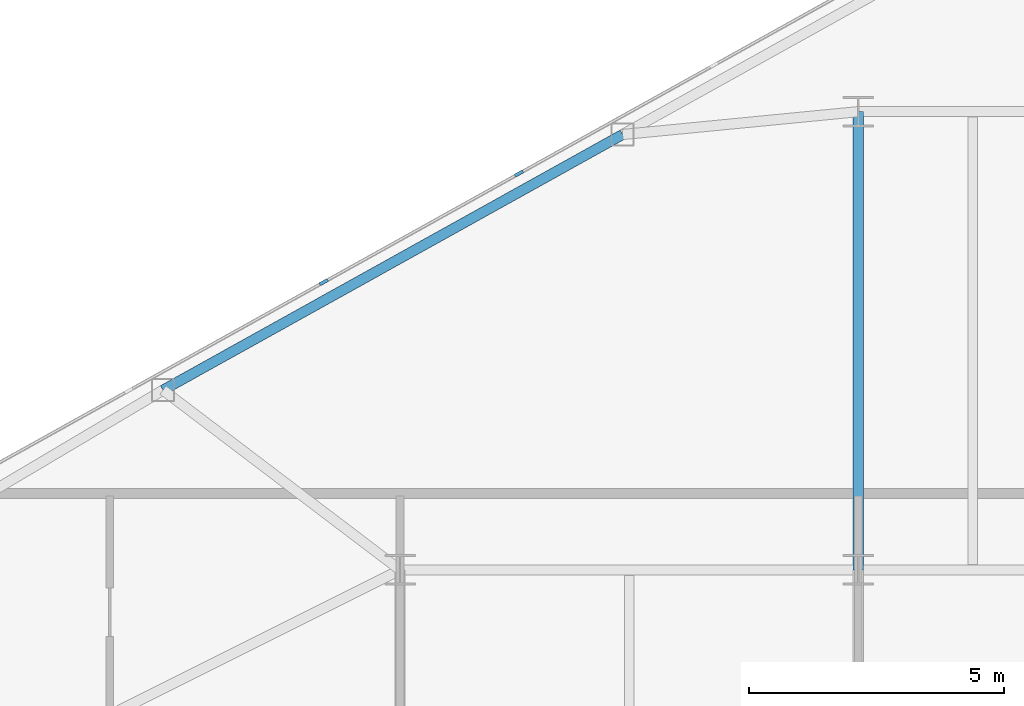
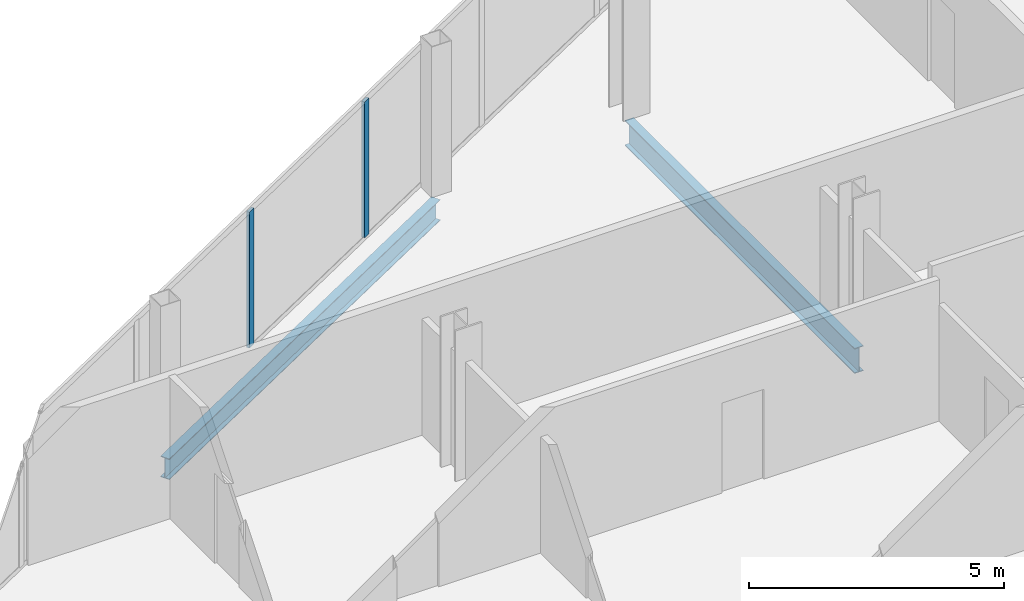
# One storey, part 8 of 26: 2 beams, 2 members, 1 element without a shape of its own.
"""IFC4 building model written with IfcOpenShell, lengths in metres."""

import ifcopenshell
import ifcopenshell.guid

model = None  # the IFC model being written
_history = None  # IfcOwnerHistory: only IFC2X3 demands one
_inside = {}  # id of a spatial element -> (the spatial element, [elements in it])
_under = {}  # id of a project, library or spatial element -> (it, [spatial elements below it])
_declared = {}  # id of a project -> (the project, [libraries it declares])
_typed = {}  # id of a type object -> (the type object, [elements of that type])
_made_of = {}  # id of a material, layer set ... -> (it, [elements and type objects made of it])


def new_model(schema):
    """Start an empty IFC model of exactly this schema.

    Asked for "IFC4X3", IfcOpenShell would pick the latest addendum, in which some entities
    have other attributes; the version numbers below select the first issue.
    IFC2X3 requires an IfcOwnerHistory on every rooted entity: one is made here for all.
    """
    global model, _history
    if schema == "IFC4X3":
        model = ifcopenshell.file(schema_version=(4, 3, 0, 0))
    else:
        model = ifcopenshell.file(schema=schema)
    _inside.clear()
    _under.clear()
    _declared.clear()
    _typed.clear()
    _made_of.clear()
    _history = None
    if model.schema == "IFC2X3":
        org = make("IfcOrganization", Name="unknown")
        user = make(
            "IfcPersonAndOrganization",
            ThePerson=make("IfcPerson", FamilyName="unknown"),
            TheOrganization=org,
        )
        app = make(
            "IfcApplication",
            ApplicationDeveloper=org,
            Version="unknown",
            ApplicationFullName="unknown",
            ApplicationIdentifier="unknown",
        )
        _history = make(
            "IfcOwnerHistory",
            OwningUser=user,
            OwningApplication=app,
            ChangeAction="ADDED",
            CreationDate=0,
        )
    return model


def make(cls, **values):
    """One entity of the class cls with the attributes given. An attribute that is None is left unset."""
    return model.create_entity(
        cls, **{name: value for name, value in values.items() if value is not None}
    )


def rooted(cls, **values):
    """An entity with a GlobalId (a new one), such as an element, a storey or a relation."""
    return make(cls, GlobalId=ifcopenshell.guid.new(), OwnerHistory=_history, **values)


def si_unit(unit_type, name, prefix=None):
    """IfcSIUnit, for example si_unit("LENGTHUNIT", "METRE", prefix="MILLI")."""
    return make("IfcSIUnit", UnitType=unit_type, Prefix=prefix, Name=name)


def assignment(units):
    """IfcUnitAssignment: the units of a project."""
    return None if units is None else make("IfcUnitAssignment", Units=units)


def point(xyz):
    """IfcCartesianPoint."""
    return None if xyz is None else make("IfcCartesianPoint", Coordinates=xyz)


def direction(xyz):
    """IfcDirection."""
    return None if xyz is None else make("IfcDirection", DirectionRatios=xyz)


def frame(location, z_axis=None, x_axis=None):
    """IfcAxis2Placement3D, a coordinate frame: its origin and axes. An axis left out is left unset."""
    return make(
        "IfcAxis2Placement3D",
        Location=point(location),
        Axis=direction(z_axis),
        RefDirection=direction(x_axis),
    )


def frame_2d(location, x_axis=None):
    """IfcAxis2Placement2D, a coordinate frame in the plane: its origin and x axis."""
    return make(
        "IfcAxis2Placement2D", Location=point(location), RefDirection=direction(x_axis)
    )


def origin():
    """The frame at (0, 0, 0) with its axes left unset."""
    return frame((0.0, 0.0, 0.0))


def origin_2d():
    """The frame at (0, 0) in the plane with its x axis left unset."""
    return frame_2d((0.0, 0.0))


def place(relative_to, where):
    """IfcLocalPlacement: puts the frame where relative to a parent placement (None: the world)."""
    return make(
        "IfcLocalPlacement", PlacementRelTo=relative_to, RelativePlacement=where
    )


def context(
    kind, dimensions, precision=None, world=None, true_north=None, identifier=None
):
    """IfcGeometricRepresentationContext, for example the 3D "Model" context."""
    return make(
        "IfcGeometricRepresentationContext",
        ContextIdentifier=identifier,
        ContextType=kind,
        CoordinateSpaceDimension=dimensions,
        Precision=precision,
        WorldCoordinateSystem=world,
        TrueNorth=true_north,
    )


def subcontext(parent, identifier, kind, view, scale=None):
    """IfcGeometricRepresentationSubContext, for example "Body" below "Model"."""
    return make(
        "IfcGeometricRepresentationSubContext",
        ContextIdentifier=identifier,
        ContextType=kind,
        ParentContext=parent,
        TargetScale=scale,
        TargetView=view,
    )


def project(units=None, contexts=None):
    """IfcProject with its units and contexts."""
    return rooted(
        "IfcProject",
        Name="project",
        RepresentationContexts=contexts,
        UnitsInContext=assignment(units),
    )


def spatial(cls, under=None, at=None, **own):
    """A site, building, storey or space (cls), placed at a placement, below another one or the project."""
    s = rooted(cls, ObjectPlacement=at, **own)
    if under is not None:
        _under.setdefault(under.id(), (under, []))[1].append(s)
    return s


def profile(cls, at=None, kind="AREA", **sizes):
    """A parametric profile (cls). Its sizes go by their IFC names, for example OverallWidth=200.0."""
    return make(cls, ProfileType=kind, Position=at, **sizes)


def rectangle(**sizes):
    """IfcRectangleProfileDef."""
    return profile("IfcRectangleProfileDef", **sizes)


def i_section(**sizes):
    """IfcIShapeProfileDef."""
    return profile("IfcIShapeProfileDef", **sizes)


def extrude(swept, where, along, depth):
    """IfcExtrudedAreaSolid: the profile swept, set in the frame where, extruded along a direction by depth."""
    return make(
        "IfcExtrudedAreaSolid",
        SweptArea=swept,
        Position=where,
        ExtrudedDirection=direction(along),
        Depth=depth,
    )


def shape(context_of_items, identifier, shape_type, items):
    """IfcShapeRepresentation: the items that make up one representation, for example the "Body"."""
    return make(
        "IfcShapeRepresentation",
        ContextOfItems=context_of_items,
        RepresentationIdentifier=identifier,
        RepresentationType=shape_type,
        Items=items,
    )


def source(mapping_origin, context_of_items, identifier, shape_type, items):
    """IfcRepresentationMap: a shape defined once, which mapped items show again and again."""
    return make(
        "IfcRepresentationMap",
        MappingOrigin=mapping_origin,
        MappedRepresentation=shape(context_of_items, identifier, shape_type, items),
    )


def transform(
    local_origin,
    x_axis=None,
    y_axis=None,
    z_axis=None,
    scale=None,
    scale2=None,
    scale3=None,
    uniform=True,
):
    """IfcCartesianTransformationOperator3D, or its non-uniform kind. x_axis, y_axis, z_axis: its Axis1, 2, 3."""
    if uniform:
        return make(
            "IfcCartesianTransformationOperator3D",
            Axis1=direction(x_axis),
            Axis2=direction(y_axis),
            LocalOrigin=point(local_origin),
            Scale=scale,
            Axis3=direction(z_axis),
        )
    return make(
        "IfcCartesianTransformationOperator3DnonUniform",
        Axis1=direction(x_axis),
        Axis2=direction(y_axis),
        LocalOrigin=point(local_origin),
        Scale=scale,
        Axis3=direction(z_axis),
        Scale2=scale2,
        Scale3=scale3,
    )


def mapped(mapping_source, mapping_target):
    """IfcMappedItem: shows the shape of a source again, moved by a transform."""
    return make(
        "IfcMappedItem", MappingSource=mapping_source, MappingTarget=mapping_target
    )


def material(Name=None, Category=None):
    """IfcMaterial."""
    return make("IfcMaterial", Name=Name, Category=Category)


def layer(
    of_material, thickness, ventilated=None, Name=None, Category=None, Priority=None
):
    """IfcMaterialLayer: one layer of a wall or slab, of a material (None: an air gap)."""
    return make(
        "IfcMaterialLayer",
        Material=of_material,
        LayerThickness=thickness,
        IsVentilated=ventilated,
        Name=Name,
        Category=Category,
        Priority=Priority,
    )


def layer_set(layers, Name=None):
    """IfcMaterialLayerSet."""
    return make("IfcMaterialLayerSet", MaterialLayers=layers, LayerSetName=Name)


def material_profile(
    of_material, cross_section, Name=None, Category=None, Priority=None
):
    """IfcMaterialProfile: a cross section and its material."""
    return make(
        "IfcMaterialProfile",
        Name=Name,
        Material=of_material,
        Profile=cross_section,
        Priority=Priority,
        Category=Category,
    )


def profile_set(profiles, Name=None, composite=None):
    """IfcMaterialProfileSet."""
    return make(
        "IfcMaterialProfileSet",
        Name=Name,
        MaterialProfiles=profiles,
        CompositeProfile=composite,
    )


def made_of(thing, what):
    """Note that an element or type object is made of a material, layer set ...; save() writes the relation."""
    if what is not None:
        _made_of.setdefault(what.id(), (what, []))[1].append(thing)
    return thing


def type_object(cls, material=None, **own):
    """A type object (cls), such as IfcWallType, which elements share."""
    return made_of(rooted(cls, **own), material)


def type_shapes(of_type, sources):
    """Give a type object the sources (RepresentationMaps) that its elements show as mapped items."""
    of_type.RepresentationMaps = sources


def element(
    cls,
    number,
    at=None,
    inside=None,
    cuts=None,
    type_object=None,
    material=None,
    context=None,
    identifier="Body",
    shape_type=None,
    held_by="IfcProductDefinitionShape",
    body=None,
    shapes=None,
    **own,
):
    """One element of the class cls, such as IfcWall. Its Tag is "e" and its number.

    at: its placement. inside: the storey or other place that contains it. cuts: it is an
    opening in that element (IfcRelVoidsElement). A single representation is given by context,
    identifier, shape_type and body (its items); several are given by shapes. held_by: the class
    of the entity that holds the representations. save() writes the other relations.
    """
    e = rooted(cls, Tag="e%d" % number, ObjectPlacement=at, **own)
    if body is not None:
        shapes = [shape(context, identifier, shape_type, body)]
    if shapes is not None:
        e.Representation = make(held_by, Representations=shapes)
    if inside is not None:
        _inside.setdefault(inside.id(), (inside, []))[1].append(e)
    if cuts is not None:
        rooted(
            "IfcRelVoidsElement", RelatingBuildingElement=cuts, RelatedOpeningElement=e
        )
    if type_object is not None:
        _typed.setdefault(type_object.id(), (type_object, []))[1].append(e)
    return made_of(e, material)


def aggregate(whole, parts):
    """IfcRelAggregates: a whole, such as a stair, and the parts it consists of."""
    return rooted("IfcRelAggregates", RelatingObject=whole, RelatedObjects=parts)


def save(model, path):
    """Write the relations noted so far, then the file.

    IfcRelAggregates (storeys below a building ...), IfcRelContainedInSpatialStructure (elements
    in a storey), IfcRelDefinesByType, IfcRelAssociatesMaterial and IfcRelDeclares: one each for
    every whole, place, type object, material and project.
    """
    for whole, parts in _under.values():
        aggregate(whole, parts)
    for where, things in _inside.values():
        rooted(
            "IfcRelContainedInSpatialStructure",
            RelatedElements=things,
            RelatingStructure=where,
        )
    for kind, things in _typed.values():
        rooted("IfcRelDefinesByType", RelatedObjects=things, RelatingType=kind)
    for what, things in _made_of.values():
        rooted("IfcRelAssociatesMaterial", RelatedObjects=things, RelatingMaterial=what)
    for by, libraries in _declared.values():
        rooted("IfcRelDeclares", RelatingContext=by, RelatedDefinitions=libraries)
    model.write(path)


model = new_model("IFC4")

# Units and contexts
model_context = context("Model", 3, precision=1e-05, world=origin(), true_north=direction((0.0, 1.0)))
body_context = subcontext(model_context, "Body", "Model", "MODEL_VIEW")
ifc_project = project(units=[si_unit("LENGTHUNIT", "METRE"), si_unit("AREAUNIT", "SQUARE_METRE"), si_unit("VOLUMEUNIT", "CUBIC_METRE"), si_unit("PLANEANGLEUNIT", "RADIAN"), si_unit("MASSUNIT", "GRAM", prefix="KILO")], contexts=[model_context])

# Site, building, storey
site_placement = place(None, origin())
site = spatial("IfcSite", under=ifc_project, at=site_placement, CompositionType="ELEMENT")
building_placement = place(site_placement, origin())
building = spatial("IfcBuilding", under=site, at=building_placement, Name="Seokmaru Belvedere", CompositionType="ELEMENT")
storey_placement = place(building_placement, frame((0.0, 0.0, 170.699951171875)))
storey = spatial("IfcBuildingStorey", under=building, at=storey_placement, Name="L45", CompositionType="ELEMENT", Elevation=170.699951171875)

# Beams
ifc_material_1 = material(Name="Steel SM355 (355 MPa)", Category="steel")
ifc_material_profile_1 = material_profile(ifc_material_1, i_section(OverallWidth=0.199951171875, OverallDepth=0.60009765625, WebThickness=0.010986328125, FlangeThickness=0.01708984375, at=origin_2d()), Name="H-600x200x11x17")
ifc_profile_set_1 = profile_set([ifc_material_profile_1], Name="Steel SM355 (355 MPa)")
beam_type_1 = type_object("IfcBeamType", Name="Primary Floor Girder H-600", PredefinedType="BEAM", material=ifc_profile_set_1)
shared_shape_1 = source(origin(), body_context, "Body", "SweptSolid", [
    extrude(i_section(OverallWidth=0.199951171875, OverallDepth=0.60009765625, WebThickness=0.010986328125, FlangeThickness=0.01708984375, at=origin_2d()), origin(), (0.0, 0.0, 1.0), 9.0),
])
type_shapes(beam_type_1, [shared_shape_1])
beam_1_placement = place(storey_placement, frame((-45.5, 4.5, -0.52001953125), z_axis=(0.0, 1.0, 0.0), x_axis=(-1.0, 0.0, 0.0)))
element("IfcBeam", 1, at=beam_1_placement, inside=storey, type_object=beam_type_1, Name="L45 W Interior Grid Girder 3", PredefinedType="BEAM", context=body_context, shape_type="MappedRepresentation", body=[
    mapped(shared_shape_1, transform((0.0, 0.0, 0.0), scale=1.0)),
])
ifc_material_profile_2 = material_profile(ifc_material_1, i_section(OverallWidth=0.199951171875, OverallDepth=0.5, WebThickness=0.010009765625, FlangeThickness=0.01611328125, at=origin_2d()), Name="H-500x200x10x16")
ifc_profile_set_2 = profile_set([ifc_material_profile_2], Name="Steel SM355 (355 MPa)")
beam_type_2 = type_object("IfcBeamType", Name="Perimeter Spandrel Beam H-500", PredefinedType="SPANDREL", material=ifc_profile_set_2)
shared_shape_2 = source(origin(), body_context, "Body", "SweptSolid", [
    extrude(i_section(OverallWidth=0.199951171875, OverallDepth=0.5, WebThickness=0.010009765625, FlangeThickness=0.01611328125, at=origin_2d()), origin(), (0.0, 0.0, 1.0), 10.327392578125),
])
type_shapes(beam_type_2, [shared_shape_2])
beam_2_placement = place(storey_placement, frame((-50.129150390625, 13.051025390625, -0.469970703125), z_axis=(-0.873934162361, -0.48604431882, 0.0), x_axis=(0.48604431882, -0.873934162361, 0.0)))
element("IfcBeam", 2, at=beam_2_placement, inside=storey, type_object=beam_type_2, Name="L45 W Faceted Flank Spandrel N-3", PredefinedType="SPANDREL", context=body_context, shape_type="MappedRepresentation", body=[
    mapped(shared_shape_2, transform((0.0, 0.0, 0.0), scale=1.0)),
])

# Curtain wall, members
ifc_material_2 = material(Name="Bronze Triple Insulating Glass", Category="glass")
ifc_layer = layer(ifc_material_2, 0.179931640625)
ifc_layer_set = layer_set([ifc_layer], Name="Bronze Triple Insulating Glass")
curtain_wall_type = type_object("IfcCurtainWallType", Name="High-Rise Wind-Corner Curtain Wall System CW-5", PredefinedType="NOTDEFINED", material=ifc_layer_set)
curtain_wall_placement = place(storey_placement, origin())
curtain_wall = element("IfcCurtainWall", 3, at=curtain_wall_placement, inside=storey, type_object=curtain_wall_type, Name="L45 Curtain Wall WF3", PredefinedType="NOTDEFINED")
ifc_material_3 = material(Name="Anodised Bronze Aluminium", Category="aluminium")
ifc_material_profile_3 = material_profile(ifc_material_3, rectangle(XDim=0.06494140625, YDim=0.179931640625, at=origin_2d()), Name="CW-M-65x180")
ifc_profile_set_3 = profile_set([ifc_material_profile_3], Name="Anodised Bronze Aluminium")
member_type = type_object("IfcMemberType", Name="Bronze Unitised Mullion 65x180", PredefinedType="MULLION", material=ifc_profile_set_3)
shared_shape_3 = source(origin(), body_context, "Body", "SweptSolid", [
    extrude(rectangle(XDim=0.06494140625, YDim=0.179931640625, at=origin_2d()), origin(), (0.0, 0.0, 1.0), 3.25),
])
type_shapes(member_type, [shared_shape_3])
member_1_placement = place(storey_placement, frame((-52.166015625, 12.2841796875, 0.06494140625), z_axis=(0.0, 0.0, 1.0), x_axis=(0.486047125147, -0.873932601598, 0.0)))
member_1 = element("IfcMember", 4, at=member_1_placement, type_object=member_type, Name="CW:L45:WF3 Mullion 6", PredefinedType="MULLION", context=body_context, shape_type="MappedRepresentation", body=[
    mapped(shared_shape_3, transform((0.0, 0.0, 0.0), scale=1.0)),
])
member_2_placement = place(storey_placement, frame((-55.998291015625, 10.153076171875, 0.06494140625), z_axis=(0.0, 0.0, 1.0), x_axis=(0.486047125147, -0.873932601598, 0.0)))
member_2 = element("IfcMember", 5, at=member_2_placement, type_object=member_type, Name="CW:L45:WF3 Mullion 7", PredefinedType="MULLION", context=body_context, shape_type="MappedRepresentation", body=[
    mapped(shared_shape_3, transform((0.0, 0.0, 0.0), scale=1.0)),
])
aggregate(curtain_wall, [member_1, member_2])

save(model, "model.ifc")
